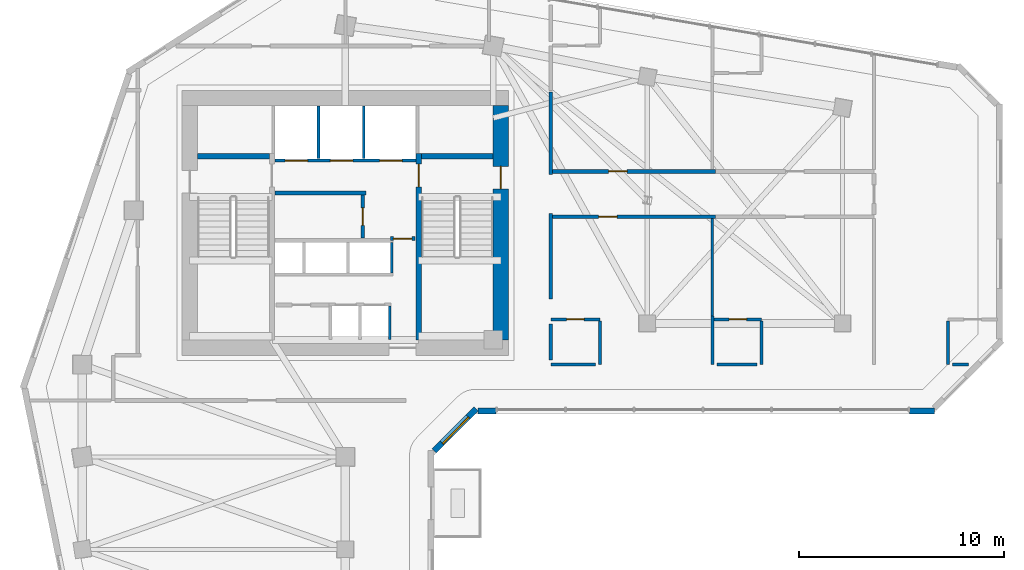
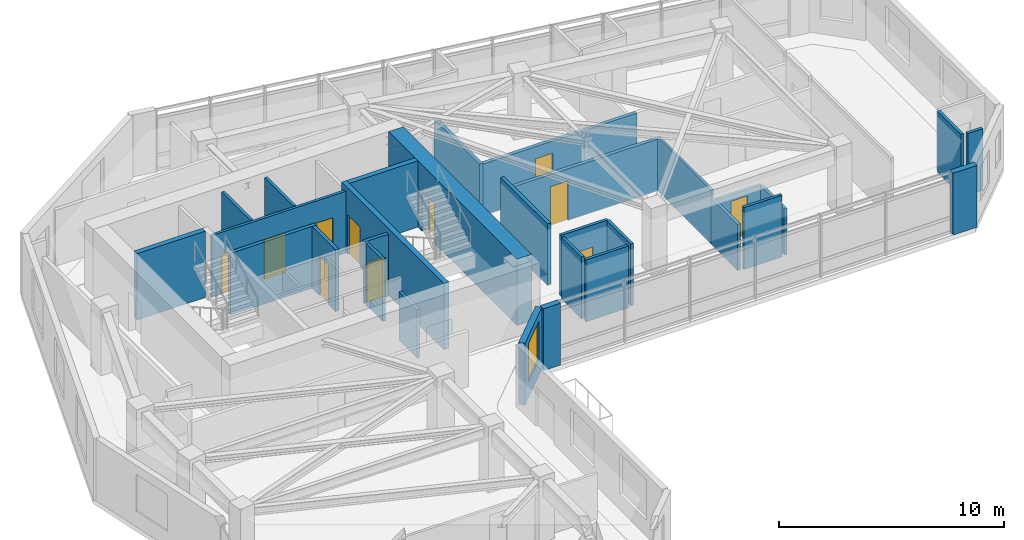
# One storey, part 5 of 10: 30 walls, 11 doors, 1 window, 12 openings.
"""IFC4 building model written with IfcOpenShell, lengths in metres."""

from ifc_helpers import new_model, si_unit, direction, frame, frame_2d, origin, place, context, subcontext, project, spatial, rectangle, extrude, source, transform, mapped, material, layer, layer_set, type_object, element, fill, save


model = new_model("IFC4")

# Units and contexts
model_context = context("Model", 3, precision=1e-05, world=origin(), true_north=direction((0.0, 1.0)))
body_context = subcontext(model_context, "Body", "Model", "MODEL_VIEW")
ifc_project = project(units=[si_unit("LENGTHUNIT", "METRE"), si_unit("AREAUNIT", "SQUARE_METRE"), si_unit("VOLUMEUNIT", "CUBIC_METRE"), si_unit("PLANEANGLEUNIT", "RADIAN"), si_unit("MASSUNIT", "GRAM", prefix="KILO")], contexts=[model_context])

# Site, building, storey
site_placement = place(None, origin())
site = spatial("IfcSite", under=ifc_project, at=site_placement, CompositionType="ELEMENT")
building_placement = place(site_placement, origin())
building = spatial("IfcBuilding", under=site, at=building_placement, Name="Calvemar Wedge Station Tower", CompositionType="ELEMENT")
storey_placement = place(building_placement, frame((0.0, 0.0, 153.800048828125)))
storey = spatial("IfcBuildingStorey", under=building, at=storey_placement, Name="L38", CompositionType="ELEMENT", Elevation=153.800048828125)

# Wall, opening, door
ifc_material_1 = material(Name="Concrete C50", Category="concrete")
ifc_layer_1 = layer(ifc_material_1, 0.260009765625)
ifc_layer_set_1 = layer_set([ifc_layer_1], Name="Concrete C50")
wall_type_1 = type_object("IfcWallType", Name="SW-CORE-260", PredefinedType="SHEAR", material=ifc_layer_set_1)
wall_1_placement = place(storey_placement, frame((27.3701171875, 34.199951171875, 0.0), z_axis=(0.0, 0.0, 1.0), x_axis=(0.0, 1.0, 0.0)))
wall_1 = element("IfcWall", 1, at=wall_1_placement, inside=storey, type_object=wall_type_1, Name="Storey L38 Core Shear Wall SPINE-E", PredefinedType="SHEAR", context=body_context, shape_type="SweptSolid", body=[
    extrude(rectangle(XDim=9.06005859375, YDim=0.260009765625, at=frame_2d((4.530029296875, 0.0))), origin(), (0.0, 0.0, 1.0), 3.599853515625),
])
shared_shape_1 = source(origin(), body_context, "Body", "SweptSolid", [
    extrude(rectangle(XDim=1.10009765625, YDim=2.14990234375, at=frame_2d((0.550048828125, 1.074951171875))), frame((0.0, 0.14013671875, 0.0), z_axis=(0.0, -1.0, 0.0), x_axis=(1.0, 0.0, 0.0)), (0.0, 0.0, 1.0), 0.280029296875),
])
opening_1_placement = place(wall_1_placement, frame((7.449951171875, 0.0, 0.0)))
opening_1 = element("IfcOpeningElement", 2, at=opening_1_placement, cuts=wall_1, Name="Opening FD-90", PredefinedType="OPENING", context=body_context, shape_type="MappedRepresentation", body=[
    mapped(shared_shape_1, transform((0.0, 0.0, 0.0), scale=1.0)),
])
ifc_material_2 = material(Name="Galvanized fire-rated steel door leaf P-90", Category="steel")
door_type_1 = type_object("IfcDoorType", Name="DR-FD90-1100", OperationType="NOTDEFINED", PredefinedType="DOOR", material=ifc_material_2)
shared_shape_2 = source(origin(), body_context, "Body", "SweptSolid", [
    extrude(rectangle(XDim=1.10009765625, YDim=2.14990234375, at=frame_2d((0.550048828125, 1.074951171875))), frame((0.0, 0.02490234375, 0.0), z_axis=(0.0, -1.0, 0.0), x_axis=(1.0, 0.0, 0.0)), (0.0, 0.0, 1.0), 0.050048828125),
])
door_1_placement = place(opening_1_placement, origin())
door_1 = element("IfcDoor", 3, at=door_1_placement, inside=storey, type_object=door_type_1, Name="L38 FF Lobby to Stair ST-C2 Door", OperationType="SINGLE_SWING_RIGHT", OverallHeight=2.14990234375, OverallWidth=1.10009765625, PredefinedType="DOOR", context=body_context, shape_type="MappedRepresentation", body=[
    mapped(shared_shape_2, transform((0.0, 0.0, 0.0), scale=1.0)),
])
fill(opening_1, door_1)

# Walls
for number, where, z_axis, x_axis, name in (
    (4, (16.60009765625, 43.1298828125, 0.0), (0.0, 0.0, 1.0), (1.0, 0.0, 0.0), "Storey L38 Core Shear Wall STC1-N"),
    (5, (27.5, 43.1298828125, 0.0), (0.0, 0.0, 1.0), (1.0, 0.0, 0.0), "Storey L38 Core Shear Wall STC2-N"),
):
    element("IfcWall", number, at=place(storey_placement, frame(where, z_axis=z_axis, x_axis=x_axis)), inside=storey, type_object=wall_type_1, Name=name, PredefinedType="SHEAR", context=body_context, shape_type="SweptSolid", body=[
        extrude(rectangle(XDim=3.5, YDim=0.260009765625, at=frame_2d((1.75, 0.0))), origin(), (0.0, 0.0, 1.0), 3.599853515625),
    ])

# Wall, opening, door
ifc_material_3 = material(Name="Concrete C70", Category="concrete")
ifc_layer_2 = layer(ifc_material_3, 0.75)
ifc_layer_set_2 = layer_set([ifc_layer_2], Name="Concrete C70")
wall_type_2 = type_object("IfcWallType", Name="SW-CORE-750", PredefinedType="SHEAR", material=ifc_layer_set_2)
wall_2_placement = place(storey_placement, frame((31.375, 34.199951171875, 0.0), z_axis=(0.0, 0.0, 1.0), x_axis=(0.0, 1.0, 0.0)))
wall_2 = element("IfcWall", 6, at=wall_2_placement, inside=storey, type_object=wall_type_2, Name="Storey L38 Core Shear Wall E", PredefinedType="SHEAR", context=body_context, shape_type="SweptSolid", body=[
    extrude(rectangle(XDim=11.400146484375, YDim=0.75, at=frame_2d((5.7001953125, 0.0))), origin(), (0.0, 0.0, 1.0), 3.599853515625),
])
shared_shape_3 = source(origin(), body_context, "Body", "SweptSolid", [
    extrude(rectangle(XDim=1.10009765625, YDim=2.14990234375, at=frame_2d((0.550048828125, 1.074951171875))), frame((0.0, 0.385009765625, 0.0), z_axis=(0.0, -1.0, 0.0), x_axis=(1.0, 0.0, 0.0)), (0.0, 0.0, 1.0), 0.77001953125),
])
opening_2_placement = place(wall_2_placement, frame((7.35009765625, 0.0, 0.0)))
opening_2 = element("IfcOpeningElement", 7, at=opening_2_placement, cuts=wall_2, Name="Opening FD-90", PredefinedType="OPENING", context=body_context, shape_type="MappedRepresentation", body=[
    mapped(shared_shape_3, transform((0.0, 0.0, 0.0), scale=1.0)),
])
door_2_placement = place(opening_2_placement, origin())
door_2 = element("IfcDoor", 8, at=door_2_placement, inside=storey, type_object=door_type_1, Name="L38 East Corridor to Exit Stair ST-C2 Door", OperationType="SINGLE_SWING_RIGHT", OverallHeight=2.14990234375, OverallWidth=1.10009765625, PredefinedType="DOOR", context=body_context, shape_type="MappedRepresentation", body=[
    mapped(shared_shape_2, transform((0.0, 0.0, 0.0), scale=1.0)),
])
fill(opening_2, door_2)

# Wall
ifc_material_4 = material(Name="Double-stud fire-rated corridor partition")
ifc_layer_3 = layer(ifc_material_4, 0.179931640625)
ifc_layer_set_3 = layer_set([ifc_layer_3], Name="Double-stud fire-rated corridor partition")
wall_type_3 = type_object("IfcWallType", Name="W-CORR-180", PredefinedType="PARTITIONING", material=ifc_layer_set_3)
wall_3_placement = place(storey_placement, frame((24.81005859375, 41.35009765625, 0.0), z_axis=(0.0, 0.0, 1.0), x_axis=(-1.0, 0.0, 0.0)))
element("IfcWall", 9, at=wall_3_placement, inside=storey, type_object=wall_type_3, Name="Storey L38 Interior Partition WL-L38-001", PredefinedType="PARTITIONING", context=body_context, shape_type="SweptSolid", body=[
    extrude(rectangle(XDim=4.43017578125, YDim=0.179931640625, at=frame_2d((2.215087890625, 0.0))), origin(), (0.0, 0.0, 1.0), 3.349853515625),
])

# Wall, opening, door
wall_4_placement = place(storey_placement, frame((24.64990234375, 41.256103515625, 0.0), z_axis=(0.0, 0.0, 1.0), x_axis=(0.0, -1.0, 0.0)))
wall_4 = element("IfcWall", 10, at=wall_4_placement, inside=storey, type_object=wall_type_3, Name="Storey L38 Interior Partition WL-L38-002", PredefinedType="PARTITIONING", context=body_context, shape_type="SweptSolid", body=[
    extrude(rectangle(XDim=2.106201171875, YDim=0.179931640625, at=frame_2d((1.05322265625, 0.0))), origin(), (0.0, 0.0, 1.0), 3.349853515625),
])
shared_shape_4 = source(origin(), body_context, "Body", "SweptSolid", [
    extrude(rectangle(XDim=0.85009765625, YDim=2.14990234375, at=frame_2d((0.425048828125, 1.074951171875))), frame((0.0, 0.10009765625, 0.0), z_axis=(0.0, -1.0, 0.0), x_axis=(1.0, 0.0, 0.0)), (0.0, 0.0, 1.0), 0.199951171875),
])
opening_3_placement = place(wall_4_placement, frame((0.6279296875, 0.0, 0.0)))
opening_3 = element("IfcOpeningElement", 11, at=opening_3_placement, cuts=wall_4, Name="Opening FD-60S", PredefinedType="OPENING", context=body_context, shape_type="MappedRepresentation", body=[
    mapped(shared_shape_4, transform((0.0, 0.0, 0.0), scale=1.0)),
])
ifc_material_5 = material(Name="Fire-rated steel and hardwood service door EI 60", Category="steel")
door_type_2 = type_object("IfcDoorType", Name="DR-CORE-FD60-850", OperationType="NOTDEFINED", PredefinedType="DOOR", material=ifc_material_5)
shared_shape_5 = source(origin(), body_context, "Body", "SweptSolid", [
    extrude(rectangle(XDim=0.85009765625, YDim=2.14990234375, at=frame_2d((0.425048828125, 1.074951171875))), frame((0.0, 0.02490234375, 0.0), z_axis=(0.0, -1.0, 0.0), x_axis=(1.0, 0.0, 0.0)), (0.0, 0.0, 1.0), 0.050048828125),
])
door_3_placement = place(opening_3_placement, origin())
door_3 = element("IfcDoor", 12, at=door_3_placement, inside=storey, type_object=door_type_2, Name="L38 Cleaner and Linen Store Door", OperationType="SINGLE_SWING_LEFT", OverallHeight=2.14990234375, OverallWidth=0.85009765625, PredefinedType="DOOR", context=body_context, shape_type="MappedRepresentation", body=[
    mapped(shared_shape_5, transform((0.0, 0.0, 0.0), scale=1.0)),
])
fill(opening_3, door_3)

wall_5_placement = place(storey_placement, frame((27.199951171875, 39.1298828125, 0.0), z_axis=(0.0, 0.0, 1.0), x_axis=(-1.0, 0.0, 0.0)))
wall_5 = element("IfcWall", 13, at=wall_5_placement, inside=storey, type_object=wall_type_3, Name="Storey L38 Interior Partition WL-L38-003", PredefinedType="PARTITIONING", context=body_context, shape_type="SweptSolid", body=[
    extrude(rectangle(XDim=1.2099609375, YDim=0.179931640625, at=frame_2d((0.60498046875, 0.0))), origin(), (0.0, 0.0, 1.0), 3.349853515625),
])
shared_shape_6 = source(origin(), body_context, "Body", "SweptSolid", [
    extrude(rectangle(XDim=0.89990234375, YDim=2.14990234375, at=frame_2d((0.449951171875, 1.074951171875))), frame((0.0, 0.10009765625, 0.0), z_axis=(0.0, -1.0, 0.0), x_axis=(1.0, 0.0, 0.0)), (0.0, 0.0, 1.0), 0.199951171875),
])
opening_4_placement = place(wall_5_placement, frame((0.155029296875, 0.0, 0.0)))
opening_4 = element("IfcOpeningElement", 14, at=opening_4_placement, cuts=wall_5, Name="Opening FD-60", PredefinedType="OPENING", context=body_context, shape_type="MappedRepresentation", body=[
    mapped(shared_shape_6, transform((0.0, 0.0, 0.0), scale=1.0)),
])
ifc_material_6 = material(Name="Fire-rated acoustic timber-core entrance door EI 60", Category="wood")
door_type_3 = type_object("IfcDoorType", Name="DR-FD60-900", OperationType="NOTDEFINED", PredefinedType="DOOR", material=ifc_material_6)
shared_shape_7 = source(origin(), body_context, "Body", "SweptSolid", [
    extrude(rectangle(XDim=0.89990234375, YDim=2.14990234375, at=frame_2d((0.449951171875, 1.074951171875))), frame((0.0, 0.02490234375, 0.0), z_axis=(0.0, -1.0, 0.0), x_axis=(1.0, 0.0, 0.0)), (0.0, 0.0, 1.0), 0.050048828125),
])
door_4_placement = place(opening_4_placement, origin())
door_4 = element("IfcDoor", 15, at=door_4_placement, inside=storey, type_object=door_type_3, Name="L38 Core Service Lobby Door", OperationType="SINGLE_SWING_RIGHT", OverallHeight=2.14990234375, OverallWidth=0.89990234375, PredefinedType="DOOR", context=body_context, shape_type="MappedRepresentation", body=[
    mapped(shared_shape_7, transform((0.0, 0.0, 0.0), scale=1.0)),
])
fill(opening_4, door_4)

# Walls
wall_6_placement = place(storey_placement, frame((33.800048828125, 46.256103515625, 0.0), z_axis=(0.0, 0.0, 1.0), x_axis=(0.0, -1.0, 0.0)))
element("IfcWall", 16, at=wall_6_placement, inside=storey, type_object=wall_type_3, Name="Storey L38 Interior Partition WL-L38-013", PredefinedType="PARTITIONING", context=body_context, shape_type="SweptSolid", body=[
    extrude(rectangle(XDim=4.01611328125, YDim=0.179931640625, at=frame_2d((2.008056640625, 0.0))), origin(), (0.0, 0.0, 1.0), 2.921875),
])
wall_7_placement = place(storey_placement, frame((33.800048828125, 40.360107421875, 0.0), z_axis=(0.0, 0.0, 1.0), x_axis=(0.0, -1.0, 0.0)))
element("IfcWall", 17, at=wall_7_placement, inside=storey, type_object=wall_type_3, Name="Storey L38 Interior Partition WL-L38-014", PredefinedType="PARTITIONING", context=body_context, shape_type="SweptSolid", body=[
    extrude(rectangle(XDim=4.16015625, YDim=0.179931640625, at=frame_2d((2.080078125, 0.0))), origin(), (0.0, 0.0, 1.0), 3.349853515625),
])

# Wall, opening, door
wall_8_placement = place(storey_placement, frame((33.89404296875, 42.39990234375, 0.0), z_axis=(0.0, 0.0, 1.0), x_axis=(1.0, 0.0, 0.0)))
wall_8 = element("IfcWall", 18, at=wall_8_placement, inside=storey, type_object=wall_type_3, Name="Storey L38 Interior Partition WL-L38-017", PredefinedType="PARTITIONING", context=body_context, shape_type="SweptSolid", body=[
    extrude(rectangle(XDim=7.932861328125, YDim=0.179931640625, at=frame_2d((3.96630859375, 0.0))), origin(), (0.0, 0.0, 1.0), 2.802978515625),
])
opening_5_placement = place(wall_8_placement, frame((2.72265625, 0.0, 0.0)))
opening_5 = element("IfcOpeningElement", 19, at=opening_5_placement, cuts=wall_8, Name="Opening FD-60", PredefinedType="OPENING", context=body_context, shape_type="MappedRepresentation", body=[
    mapped(shared_shape_6, transform((0.0, 0.0, 0.0), scale=1.0)),
])
door_5_placement = place(opening_5_placement, origin())
door_5 = element("IfcDoor", 20, at=door_5_placement, inside=storey, type_object=door_type_3, Name="L38 Hotel Guest Room Door", OperationType="SINGLE_SWING_RIGHT", OverallHeight=2.14990234375, OverallWidth=0.89990234375, PredefinedType="DOOR", context=body_context, shape_type="MappedRepresentation", body=[
    mapped(shared_shape_7, transform((0.0, 0.0, 0.0), scale=1.0)),
])
fill(opening_5, door_5)

wall_9_placement = place(storey_placement, frame((41.826904296875, 40.199951171875, 0.0), z_axis=(0.0, 0.0, 1.0), x_axis=(-1.0, 0.0, 0.0)))
wall_9 = element("IfcWall", 21, at=wall_9_placement, inside=storey, type_object=wall_type_3, Name="Storey L38 Interior Partition WL-L38-018", PredefinedType="PARTITIONING", context=body_context, shape_type="SweptSolid", body=[
    extrude(rectangle(XDim=7.932861328125, YDim=0.179931640625, at=frame_2d((3.96630859375, 0.0))), origin(), (0.0, 0.0, 1.0), 2.802978515625),
])
opening_6_placement = place(wall_9_placement, frame((4.798828125, 0.0, 0.0)))
opening_6 = element("IfcOpeningElement", 22, at=opening_6_placement, cuts=wall_9, Name="Opening FD-60", PredefinedType="OPENING", context=body_context, shape_type="MappedRepresentation", body=[
    mapped(shared_shape_6, transform((0.0, 0.0, 0.0), scale=1.0)),
])
door_6_placement = place(opening_6_placement, origin())
door_6 = element("IfcDoor", 23, at=door_6_placement, inside=storey, type_object=door_type_3, Name="L38 Hotel Guest Room Door", OperationType="SINGLE_SWING_RIGHT", OverallHeight=2.14990234375, OverallWidth=0.89990234375, PredefinedType="DOOR", context=body_context, shape_type="MappedRepresentation", body=[
    mapped(shared_shape_7, transform((0.0, 0.0, 0.0), scale=1.0)),
])
fill(opening_6, door_6)

# Wall, opening, window
ifc_material_7 = material(Name="Precast concrete C45", Category="concrete")
ifc_layer_4 = layer(ifc_material_7, 0.300048828125)
ifc_layer_set_4 = layer_set([ifc_layer_4], Name="Precast concrete C45")
wall_type_4 = type_object("IfcWallType", Name="W-EXT-GFRC-300", PredefinedType="SOLIDWALL", material=ifc_layer_set_4)
wall_10_placement = place(storey_placement, frame((28.115966796875, 28.7919921875, 0.0), z_axis=(0.0, 0.0, 1.0), x_axis=(0.707064797706, 0.707148762175, 0.0)))
wall_10 = element("IfcWall", 24, at=wall_10_placement, inside=storey, type_object=wall_type_4, Name="Storey L38 Bronze GFRC Exterior Wall 5", PredefinedType="SOLIDWALL", context=body_context, shape_type="SweptSolid", body=[
    extrude(rectangle(XDim=2.90771484375, YDim=0.300048828125, at=frame_2d((1.453857421875, 0.0))), origin(), (0.0, 0.0, 1.0), 3.349853515625),
])
shared_shape_8 = source(origin(), body_context, "Body", "SweptSolid", [
    extrude(rectangle(XDim=1.800048828125, YDim=2.10009765625, at=frame_2d((0.89990234375, 1.050048828125))), frame((0.0, 0.16015625, 0.0), z_axis=(0.0, -1.0, 0.0), x_axis=(1.0, 0.0, 0.0)), (0.0, 0.0, 1.0), 0.320068359375),
])
opening_7_placement = place(wall_10_placement, frame((0.553955078125, 0.0, 0.85009765625)))
opening_7 = element("IfcOpeningElement", 25, at=opening_7_placement, cuts=wall_10, Name="Opening W2", PredefinedType="OPENING", context=body_context, shape_type="MappedRepresentation", body=[
    mapped(shared_shape_8, transform((0.0, 0.0, 0.0), scale=1.0)),
])
ifc_material_8 = material(Name="Low-E laminated insulated glass", Category="glass")
window_type = type_object("IfcWindowType", Name="WIN-EXT-2", PartitioningType="SINGLE_PANEL", PredefinedType="WINDOW", material=ifc_material_8)
shared_shape_9 = source(origin(), body_context, "Body", "SweptSolid", [
    extrude(rectangle(XDim=1.800048828125, YDim=2.10009765625, at=frame_2d((0.89990234375, 1.050048828125))), frame((0.0, -0.014892578125, 0.0), z_axis=(0.0, -1.0, 0.0), x_axis=(1.0, 0.0, 0.0)), (0.0, 0.0, 1.0), 0.06005859375),
])
window_placement = place(opening_7_placement, origin())
window = element("IfcWindow", 26, at=window_placement, inside=storey, type_object=window_type, Name="Storey L38 Recessed Window 5.1", OverallHeight=2.10009765625, OverallWidth=1.800048828125, PartitioningType="SINGLE_PANEL", PredefinedType="WINDOW", context=body_context, shape_type="MappedRepresentation", body=[
    mapped(shared_shape_9, transform((0.0, 0.0, 0.0), scale=1.0)),
])
fill(opening_7, window)

# Walls
wall_11_placement = place(storey_placement, frame((30.260986328125, 30.741943359375, 0.0), z_axis=(0.0, 0.0, 1.0), x_axis=(1.0, 0.0, 0.0)))
element("IfcWall", 27, at=wall_11_placement, inside=storey, type_object=wall_type_4, Name="Storey L38 Bronze GFRC Corner Pier 6A", PredefinedType="SOLIDWALL", context=body_context, shape_type="SweptSolid", body=[
    extrude(rectangle(XDim=0.88232421875, YDim=0.300048828125, at=frame_2d((0.441162109375, 0.0))), origin(), (0.0, 0.0, 1.0), 3.349853515625),
])
wall_12_placement = place(storey_placement, frame((51.260498046875, 30.741943359375, 0.0), z_axis=(0.0, 0.0, 1.0), x_axis=(1.0, 0.0, 0.0)))
element("IfcWall", 28, at=wall_12_placement, inside=storey, type_object=wall_type_4, Name="Storey L38 Bronze GFRC Corner Pier 6B", PredefinedType="SOLIDWALL", context=body_context, shape_type="SweptSolid", body=[
    extrude(rectangle(XDim=1.227294921875, YDim=0.300048828125, at=frame_2d((0.61376953125, 0.0))), origin(), (0.0, 0.0, 1.0), 3.349853515625),
])

# Wall, openings, doors
ifc_material_9 = material(Name="Reinforced concrete blockwork lift shaft wall", Category="masonry")
ifc_layer_5 = layer(ifc_material_9, 0.139892578125)
ifc_layer_set_5 = layer_set([ifc_layer_5], Name="Reinforced concrete blockwork lift shaft wall")
wall_type_5 = type_object("IfcWallType", Name="W-LIFT-160", PredefinedType="SOLIDWALL", material=ifc_layer_set_5)
wall_13_placement = place(storey_placement, frame((20.3701171875, 42.929931640625, 0.0), z_axis=(0.0, 0.0, 1.0), x_axis=(1.0, 0.0, 0.0)))
wall_13 = element("IfcWall", 29, at=wall_13_placement, inside=storey, type_object=wall_type_5, Name="Storey L38 Firefighting and Service Lift Shaft Front Wall", PredefinedType="SOLIDWALL", context=body_context, shape_type="SweptSolid", body=[
    extrude(rectangle(XDim=6.85986328125, YDim=0.139892578125, at=frame_2d((3.429931640625, 0.0))), origin(), (0.0, 0.0, 1.0), 3.349853515625),
])
shared_shape_10 = source(origin(), body_context, "Body", "SweptSolid", [
    extrude(rectangle(XDim=1.10009765625, YDim=2.14990234375, at=frame_2d((0.550048828125, 1.074951171875))), frame((0.0, 0.080078125, 0.0), z_axis=(0.0, -1.0, 0.0), x_axis=(1.0, 0.0, 0.0)), (0.0, 0.0, 1.0), 0.159912109375),
])
opening_8_placement = place(wall_13_placement, frame((0.5, 0.0, 0.0)))
opening_8 = element("IfcOpeningElement", 30, at=opening_8_placement, cuts=wall_13, Name="Opening LD-FF", PredefinedType="OPENING", context=body_context, shape_type="MappedRepresentation", body=[
    mapped(shared_shape_10, transform((0.0, 0.0, 0.0), scale=1.0)),
])
opening_9_placement = place(wall_13_placement, frame((2.699951171875, 0.0, 0.0)))
opening_9 = element("IfcOpeningElement", 31, at=opening_9_placement, cuts=wall_13, Name="Opening LD-FF", PredefinedType="OPENING", context=body_context, shape_type="MappedRepresentation", body=[
    mapped(shared_shape_10, transform((0.0, 0.0, 0.0), scale=1.0)),
])
opening_10_placement = place(wall_13_placement, frame((5.10009765625, 0.0, 0.0)))
opening_10 = element("IfcOpeningElement", 32, at=opening_10_placement, cuts=wall_13, Name="Opening LD-STN", PredefinedType="OPENING", context=body_context, shape_type="MappedRepresentation", body=[
    mapped(shared_shape_10, transform((0.0, 0.0, 0.0), scale=1.0)),
])
ifc_material_10 = material(Name="Stainless steel firefighting lift sliding landing door", Category="steel")
door_type_4 = type_object("IfcDoorType", Name="DR-LD-FF-1100", OperationType="SLIDING_TO_LEFT", PredefinedType="DOOR", material=ifc_material_10)
shared_shape_11 = source(origin(), body_context, "Body", "SweptSolid", [
    extrude(rectangle(XDim=1.10009765625, YDim=2.14990234375, at=frame_2d((0.550048828125, 1.074951171875))), frame((0.0, 0.02490234375, 0.0), z_axis=(0.0, -1.0, 0.0), x_axis=(1.0, 0.0, 0.0)), (0.0, 0.0, 1.0), 0.050048828125),
])
door_7_placement = place(opening_8_placement, origin())
door_7 = element("IfcDoor", 33, at=door_7_placement, inside=storey, type_object=door_type_4, Name="L38 Lift FF-01 Sliding Landing Door", OperationType="SLIDING_TO_LEFT", OverallHeight=2.14990234375, OverallWidth=1.10009765625, PredefinedType="DOOR", context=body_context, shape_type="MappedRepresentation", body=[
    mapped(shared_shape_11, transform((0.0, 0.0, 0.0), scale=1.0)),
])
fill(opening_8, door_7)
door_8_placement = place(opening_9_placement, origin())
door_8 = element("IfcDoor", 34, at=door_8_placement, inside=storey, type_object=door_type_4, Name="L38 Lift FF-02 Sliding Landing Door", OperationType="SLIDING_TO_RIGHT", OverallHeight=2.14990234375, OverallWidth=1.10009765625, PredefinedType="DOOR", context=body_context, shape_type="MappedRepresentation", body=[
    mapped(shared_shape_11, transform((0.0, 0.0, 0.0), scale=1.0)),
])
fill(opening_9, door_8)
ifc_material_11 = material(Name="Stainless steel transit lift sliding landing door", Category="steel")
door_type_5 = type_object("IfcDoorType", Name="DR-LD-PAX-1100", OperationType="SLIDING_TO_LEFT", PredefinedType="DOOR", material=ifc_material_11)
shared_shape_12 = source(origin(), body_context, "Body", "SweptSolid", [
    extrude(rectangle(XDim=1.10009765625, YDim=2.14990234375, at=frame_2d((0.550048828125, 1.074951171875))), frame((0.0, 0.02490234375, 0.0), z_axis=(0.0, -1.0, 0.0), x_axis=(1.0, 0.0, 0.0)), (0.0, 0.0, 1.0), 0.050048828125),
])
door_9_placement = place(opening_10_placement, origin())
door_9 = element("IfcDoor", 35, at=door_9_placement, inside=storey, type_object=door_type_5, Name="L38 Lift SV-01 Sliding Landing Door", OperationType="SLIDING_TO_LEFT", OverallHeight=2.14990234375, OverallWidth=1.10009765625, PredefinedType="DOOR", context=body_context, shape_type="MappedRepresentation", body=[
    mapped(shared_shape_12, transform((0.0, 0.0, 0.0), scale=1.0)),
])
fill(opening_10, door_9)

# Walls
for number, where, z_axis, x_axis, name in (
    (36, (22.5, 43.02001953125, 0.0), (0.0, 0.0, 1.0), (0.0, 1.0, 0.0), "Storey L38 Firefighting Lift Shaft Enclosure Wall D1"),
    (37, (24.699951171875, 43.02001953125, 0.0), (0.0, 0.0, 1.0), (0.0, 1.0, 0.0), "Storey L38 Firefighting Lift Shaft Enclosure Wall D2"),
):
    element("IfcWall", number, at=place(storey_placement, frame(where, z_axis=z_axis, x_axis=x_axis)), inside=storey, type_object=wall_type_5, Name=name, PredefinedType="SOLIDWALL", context=body_context, shape_type="SweptSolid", body=[
        extrude(rectangle(XDim=2.56005859375, YDim=0.139892578125, at=frame_2d((1.280029296875, 0.0))), origin(), (0.0, 0.0, 1.0), 3.349853515625),
    ])
wall_14_placement = place(storey_placement, frame((25.9599609375, 34.219970703125, 0.0), z_axis=(0.0, 0.0, 1.0), x_axis=(0.0, 1.0, 0.0)))
element("IfcWall", 38, at=wall_14_placement, inside=storey, type_object=wall_type_5, Name="Storey L38 South Passenger Lift Shaft Wall E", PredefinedType="SOLIDWALL", context=body_context, shape_type="SweptSolid", body=[
    extrude(rectangle(XDim=1.6201171875, YDim=0.139892578125, at=frame_2d((0.81005859375, 0.0))), origin(), (0.0, 0.0, 1.0), 2.641845703125),
])
wall_15_placement = place(storey_placement, frame((26.06005859375, 37.4599609375, 0.0), z_axis=(0.0, 0.0, 1.0), x_axis=(0.0, 1.0, 0.0)))
element("IfcWall", 39, at=wall_15_placement, inside=storey, type_object=wall_type_5, Name="Storey L38 Upper Passenger Lift Shaft Wall E", PredefinedType="SOLIDWALL", context=body_context, shape_type="SweptSolid", body=[
    extrude(rectangle(XDim=1.47998046875, YDim=0.139892578125, at=frame_2d((0.739990234375, 0.0))), origin(), (0.0, 0.0, 1.0), 3.349853515625),
])
ifc_material_12 = material(Name="Insulated acoustic gypsum stud partition")
ifc_layer_6 = layer(ifc_material_12, 0.125)
ifc_layer_set_6 = layer_set([ifc_layer_6], Name="Insulated acoustic gypsum stud partition")
wall_type_6 = type_object("IfcWallType", Name="W-PART-125", PredefinedType="PARTITIONING", material=ifc_layer_set_6)
wall_16_placement = place(storey_placement, frame((41.6669921875, 40.10595703125, 0.0), z_axis=(0.0, 0.0, 1.0), x_axis=(0.0, -1.0, 0.0)))
element("IfcWall", 40, at=wall_16_placement, inside=storey, type_object=wall_type_6, Name="Storey L38 Interior Partition WL-L38-029", PredefinedType="PARTITIONING", context=body_context, shape_type="SweptSolid", body=[
    extrude(rectangle(XDim=4.743896484375, YDim=0.125, at=frame_2d((2.3720703125, 0.0))), origin(), (0.0, 0.0, 1.0), 2.921875),
])

# Wall, opening, door
ifc_material_13 = material(Name="Moisture-resistant acoustic bathroom partition")
ifc_layer_7 = layer(ifc_material_13, 0.14990234375)
ifc_layer_set_7 = layer_set([ifc_layer_7], Name="Moisture-resistant acoustic bathroom partition")
wall_type_7 = type_object("IfcWallType", Name="W-WET-150", PredefinedType="PARTITIONING", material=ifc_layer_set_7)
wall_17_placement = place(storey_placement, frame((33.800048828125, 35.199951171875, 0.0), z_axis=(0.0, 0.0, 1.0), x_axis=(1.0, 0.0, 0.0)))
wall_17 = element("IfcWall", 41, at=wall_17_placement, inside=storey, type_object=wall_type_7, Name="Storey L38 Interior Partition WL-L38-026", PredefinedType="PARTITIONING", context=body_context, shape_type="SweptSolid", body=[
    extrude(rectangle(XDim=2.39990234375, YDim=0.14990234375, at=frame_2d((1.199951171875, 0.0))), origin(), (0.0, 0.0, 1.0), 3.349853515625),
])
shared_shape_13 = source(origin(), body_context, "Body", "SweptSolid", [
    extrude(rectangle(XDim=0.85009765625, YDim=2.14990234375, at=frame_2d((0.425048828125, 1.074951171875))), frame((0.0, 0.0849609375, 0.0), z_axis=(0.0, -1.0, 0.0), x_axis=(1.0, 0.0, 0.0)), (0.0, 0.0, 1.0), 0.169921875),
])
opening_11_placement = place(wall_17_placement, frame((0.77490234375, 0.0, 0.0)))
opening_11 = element("IfcOpeningElement", 42, at=opening_11_placement, cuts=wall_17, Name="Opening D-02", PredefinedType="OPENING", context=body_context, shape_type="MappedRepresentation", body=[
    mapped(shared_shape_13, transform((0.0, 0.0, 0.0), scale=1.0)),
])
ifc_material_14 = material(Name="Moisture-sealed bathroom hardwood swing door", Category="wood")
door_type_6 = type_object("IfcDoorType", Name="DR-WET-850", OperationType="NOTDEFINED", PredefinedType="DOOR", material=ifc_material_14)
shared_shape_14 = source(origin(), body_context, "Body", "SweptSolid", [
    extrude(rectangle(XDim=0.85009765625, YDim=2.14990234375, at=frame_2d((0.425048828125, 1.074951171875))), frame((0.0, 0.02490234375, 0.0), z_axis=(0.0, -1.0, 0.0), x_axis=(1.0, 0.0, 0.0)), (0.0, 0.0, 1.0), 0.050048828125),
])
door_10_placement = place(opening_11_placement, origin())
door_10 = element("IfcDoor", 43, at=door_10_placement, inside=storey, type_object=door_type_6, Name="L38 En-Suite Bathroom Door", OperationType="SINGLE_SWING_LEFT", OverallHeight=2.14990234375, OverallWidth=0.85009765625, PredefinedType="DOOR", context=body_context, shape_type="MappedRepresentation", body=[
    mapped(shared_shape_14, transform((0.0, 0.0, 0.0), scale=1.0)),
])
fill(opening_11, door_10)

# Walls
wall_18_placement = place(storey_placement, frame((36.199951171875, 35.12109375, 0.0), z_axis=(0.0, 0.0, 1.0), x_axis=(0.0, -1.0, 0.0)))
element("IfcWall", 44, at=wall_18_placement, inside=storey, type_object=wall_type_7, Name="Storey L38 Interior Partition WL-L38-027", PredefinedType="PARTITIONING", context=body_context, shape_type="SweptSolid", body=[
    extrude(rectangle(XDim=2.12109375, YDim=0.14990234375, at=frame_2d((1.060546875, 0.0))), origin(), (0.0, 0.0, 1.0), 3.349853515625),
])
wall_19_placement = place(storey_placement, frame((41.6669921875, 35.360107421875, 0.0), z_axis=(0.0, 0.0, 1.0), x_axis=(0.0, -1.0, 0.0)))
element("IfcWall", 45, at=wall_19_placement, inside=storey, type_object=wall_type_7, Name="Storey L38 Interior Partition WL-L38-028", PredefinedType="PARTITIONING", context=body_context, shape_type="SweptSolid", body=[
    extrude(rectangle(XDim=2.360107421875, YDim=0.14990234375, at=frame_2d((1.18017578125, 0.0))), origin(), (0.0, 0.0, 1.0), 2.491943359375),
])

# Wall, opening, door
wall_20_placement = place(storey_placement, frame((41.74609375, 35.199951171875, 0.0), z_axis=(0.0, 0.0, 1.0), x_axis=(1.0, 0.0, 0.0)))
wall_20 = element("IfcWall", 46, at=wall_20_placement, inside=storey, type_object=wall_type_7, Name="Storey L38 Interior Partition WL-L38-033", PredefinedType="PARTITIONING", context=body_context, shape_type="SweptSolid", body=[
    extrude(rectangle(XDim=2.32080078125, YDim=0.14990234375, at=frame_2d((1.160400390625, 0.0))), origin(), (0.0, 0.0, 1.0), 2.491943359375),
])
opening_12_placement = place(wall_20_placement, frame((0.735595703125, 0.0, 0.0)))
opening_12 = element("IfcOpeningElement", 47, at=opening_12_placement, cuts=wall_20, Name="Opening D-02", PredefinedType="OPENING", context=body_context, shape_type="MappedRepresentation", body=[
    mapped(shared_shape_13, transform((0.0, 0.0, 0.0), scale=1.0)),
])
door_11_placement = place(opening_12_placement, origin())
door_11 = element("IfcDoor", 48, at=door_11_placement, inside=storey, type_object=door_type_6, Name="L38 En-Suite Bathroom Door", OperationType="SINGLE_SWING_LEFT", OverallHeight=2.14990234375, OverallWidth=0.85009765625, PredefinedType="DOOR", context=body_context, shape_type="MappedRepresentation", body=[
    mapped(shared_shape_14, transform((0.0, 0.0, 0.0), scale=1.0)),
])
fill(opening_12, door_11)

# Walls
wall_21_placement = place(storey_placement, frame((44.06689453125, 35.12109375, 0.0), z_axis=(0.0, 0.0, 1.0), x_axis=(0.0, -1.0, 0.0)))
element("IfcWall", 49, at=wall_21_placement, inside=storey, type_object=wall_type_7, Name="Storey L38 Interior Partition WL-L38-034", PredefinedType="PARTITIONING", context=body_context, shape_type="SweptSolid", body=[
    extrude(rectangle(XDim=2.12109375, YDim=0.14990234375, at=frame_2d((1.060546875, 0.0))), origin(), (0.0, 0.0, 1.0), 2.491943359375),
])
wall_22_placement = place(storey_placement, frame((53.135009765625, 33.0, 0.0), z_axis=(0.0, 0.0, 1.0), x_axis=(0.0, 1.0, 0.0)))
element("IfcWall", 50, at=wall_22_placement, inside=storey, type_object=wall_type_7, Name="Storey L38 Interior Partition WL-L38-037", PredefinedType="PARTITIONING", context=body_context, shape_type="SweptSolid", body=[
    extrude(rectangle(XDim=2.12109375, YDim=0.14990234375, at=frame_2d((1.060546875, 0.0))), origin(), (0.0, 0.0, 1.0), 3.349853515625),
])
wall_23_placement = place(storey_placement, frame((35.97998046875, 33.0, 0.0), z_axis=(0.0, 0.0, 1.0), x_axis=(-1.0, 0.0, 0.0)))
element("IfcWall", 51, at=wall_23_placement, inside=storey, type_object=wall_type_7, Name="Storey L38 Bathroom Enclosure Wall WL-L38-043", PredefinedType="PARTITIONING", context=body_context, shape_type="SweptSolid", body=[
    extrude(rectangle(XDim=2.179931640625, YDim=0.14990234375, at=frame_2d((1.08984375, 0.0))), origin(), (0.0, 0.0, 1.0), 3.349853515625),
])
wall_24_placement = place(storey_placement, frame((33.800048828125, 33.219970703125, 0.0), z_axis=(0.0, 0.0, 1.0), x_axis=(0.0, 1.0, 0.0)))
element("IfcWall", 52, at=wall_24_placement, inside=storey, type_object=wall_type_7, Name="Storey L38 Bathroom Enclosure Wall WL-L38-044", PredefinedType="PARTITIONING", context=body_context, shape_type="SweptSolid", body=[
    extrude(rectangle(XDim=1.760009765625, YDim=0.14990234375, at=frame_2d((0.8798828125, 0.0))), origin(), (0.0, 0.0, 1.0), 3.349853515625),
])
wall_25_placement = place(storey_placement, frame((43.846923828125, 33.0, 0.0), z_axis=(0.0, 0.0, 1.0), x_axis=(-1.0, 0.0, 0.0)))
element("IfcWall", 53, at=wall_25_placement, inside=storey, type_object=wall_type_7, Name="Storey L38 Bathroom Enclosure Wall WL-L38-045", PredefinedType="PARTITIONING", context=body_context, shape_type="SweptSolid", body=[
    extrude(rectangle(XDim=1.9599609375, YDim=0.14990234375, at=frame_2d((0.97998046875, 0.0))), origin(), (0.0, 0.0, 1.0), 3.349853515625),
])
wall_26_placement = place(storey_placement, frame((54.1220703125, 33.0, 0.0), z_axis=(0.0, 0.0, 1.0), x_axis=(-1.0, 0.0, 0.0)))
element("IfcWall", 54, at=wall_26_placement, inside=storey, type_object=wall_type_7, Name="Storey L38 Bathroom Enclosure Wall WL-L38-046", PredefinedType="PARTITIONING", context=body_context, shape_type="SweptSolid", body=[
    extrude(rectangle(XDim=0.76708984375, YDim=0.14990234375, at=frame_2d((0.383544921875, 0.0))), origin(), (0.0, 0.0, 1.0), 3.349853515625),
])

save(model, "model.ifc")
